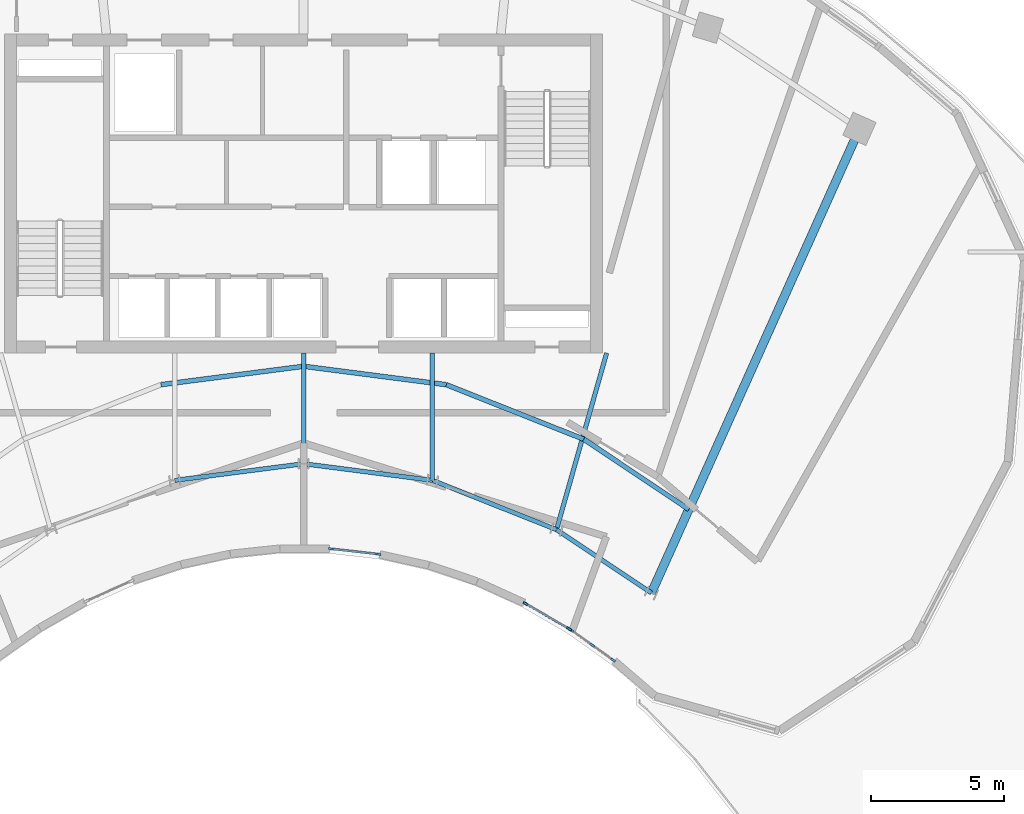
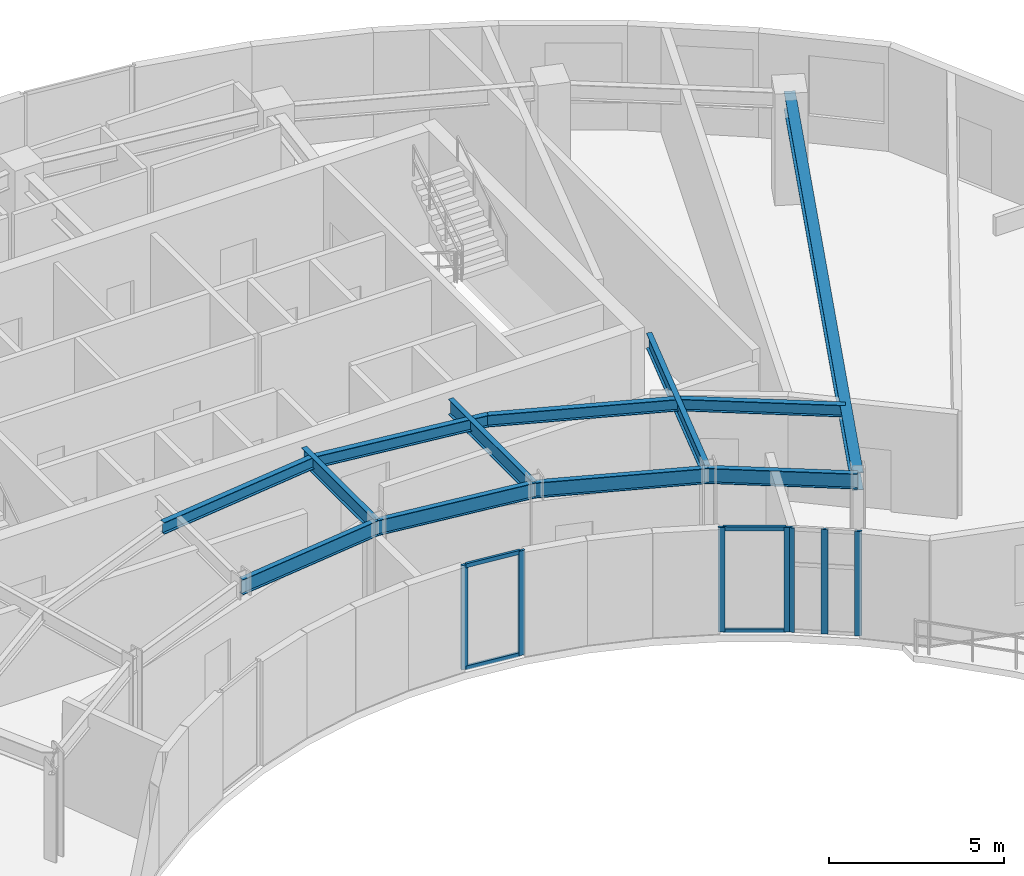
# One storey, part 3 of 15: 12 beams, 11 members, 3 elements without a shape of their own.
"""IFC4 building model written with IfcOpenShell, lengths in metres."""

import ifcopenshell
import ifcopenshell.guid

model = None  # the IFC model being written
_history = None  # IfcOwnerHistory: only IFC2X3 demands one
_inside = {}  # id of a spatial element -> (the spatial element, [elements in it])
_under = {}  # id of a project, library or spatial element -> (it, [spatial elements below it])
_declared = {}  # id of a project -> (the project, [libraries it declares])
_typed = {}  # id of a type object -> (the type object, [elements of that type])
_made_of = {}  # id of a material, layer set ... -> (it, [elements and type objects made of it])


def new_model(schema):
    """Start an empty IFC model of exactly this schema.

    Asked for "IFC4X3", IfcOpenShell would pick the latest addendum, in which some entities
    have other attributes; the version numbers below select the first issue.
    IFC2X3 requires an IfcOwnerHistory on every rooted entity: one is made here for all.
    """
    global model, _history
    if schema == "IFC4X3":
        model = ifcopenshell.file(schema_version=(4, 3, 0, 0))
    else:
        model = ifcopenshell.file(schema=schema)
    _inside.clear()
    _under.clear()
    _declared.clear()
    _typed.clear()
    _made_of.clear()
    _history = None
    if model.schema == "IFC2X3":
        org = make("IfcOrganization", Name="unknown")
        user = make(
            "IfcPersonAndOrganization",
            ThePerson=make("IfcPerson", FamilyName="unknown"),
            TheOrganization=org,
        )
        app = make(
            "IfcApplication",
            ApplicationDeveloper=org,
            Version="unknown",
            ApplicationFullName="unknown",
            ApplicationIdentifier="unknown",
        )
        _history = make(
            "IfcOwnerHistory",
            OwningUser=user,
            OwningApplication=app,
            ChangeAction="ADDED",
            CreationDate=0,
        )
    return model


def make(cls, **values):
    """One entity of the class cls with the attributes given. An attribute that is None is left unset."""
    return model.create_entity(
        cls, **{name: value for name, value in values.items() if value is not None}
    )


def rooted(cls, **values):
    """An entity with a GlobalId (a new one), such as an element, a storey or a relation."""
    return make(cls, GlobalId=ifcopenshell.guid.new(), OwnerHistory=_history, **values)


def si_unit(unit_type, name, prefix=None):
    """IfcSIUnit, for example si_unit("LENGTHUNIT", "METRE", prefix="MILLI")."""
    return make("IfcSIUnit", UnitType=unit_type, Prefix=prefix, Name=name)


def assignment(units):
    """IfcUnitAssignment: the units of a project."""
    return None if units is None else make("IfcUnitAssignment", Units=units)


def point(xyz):
    """IfcCartesianPoint."""
    return None if xyz is None else make("IfcCartesianPoint", Coordinates=xyz)


def direction(xyz):
    """IfcDirection."""
    return None if xyz is None else make("IfcDirection", DirectionRatios=xyz)


def frame(location, z_axis=None, x_axis=None):
    """IfcAxis2Placement3D, a coordinate frame: its origin and axes. An axis left out is left unset."""
    return make(
        "IfcAxis2Placement3D",
        Location=point(location),
        Axis=direction(z_axis),
        RefDirection=direction(x_axis),
    )


def frame_2d(location, x_axis=None):
    """IfcAxis2Placement2D, a coordinate frame in the plane: its origin and x axis."""
    return make(
        "IfcAxis2Placement2D", Location=point(location), RefDirection=direction(x_axis)
    )


def origin():
    """The frame at (0, 0, 0) with its axes left unset."""
    return frame((0.0, 0.0, 0.0))


def origin_2d():
    """The frame at (0, 0) in the plane with its x axis left unset."""
    return frame_2d((0.0, 0.0))


def place(relative_to, where):
    """IfcLocalPlacement: puts the frame where relative to a parent placement (None: the world)."""
    return make(
        "IfcLocalPlacement", PlacementRelTo=relative_to, RelativePlacement=where
    )


def context(
    kind, dimensions, precision=None, world=None, true_north=None, identifier=None
):
    """IfcGeometricRepresentationContext, for example the 3D "Model" context."""
    return make(
        "IfcGeometricRepresentationContext",
        ContextIdentifier=identifier,
        ContextType=kind,
        CoordinateSpaceDimension=dimensions,
        Precision=precision,
        WorldCoordinateSystem=world,
        TrueNorth=true_north,
    )


def subcontext(parent, identifier, kind, view, scale=None):
    """IfcGeometricRepresentationSubContext, for example "Body" below "Model"."""
    return make(
        "IfcGeometricRepresentationSubContext",
        ContextIdentifier=identifier,
        ContextType=kind,
        ParentContext=parent,
        TargetScale=scale,
        TargetView=view,
    )


def project(units=None, contexts=None):
    """IfcProject with its units and contexts."""
    return rooted(
        "IfcProject",
        Name="project",
        RepresentationContexts=contexts,
        UnitsInContext=assignment(units),
    )


def spatial(cls, under=None, at=None, **own):
    """A site, building, storey or space (cls), placed at a placement, below another one or the project."""
    s = rooted(cls, ObjectPlacement=at, **own)
    if under is not None:
        _under.setdefault(under.id(), (under, []))[1].append(s)
    return s


def profile(cls, at=None, kind="AREA", **sizes):
    """A parametric profile (cls). Its sizes go by their IFC names, for example OverallWidth=200.0."""
    return make(cls, ProfileType=kind, Position=at, **sizes)


def rectangle(**sizes):
    """IfcRectangleProfileDef."""
    return profile("IfcRectangleProfileDef", **sizes)


def i_section(**sizes):
    """IfcIShapeProfileDef."""
    return profile("IfcIShapeProfileDef", **sizes)


def extrude(swept, where, along, depth):
    """IfcExtrudedAreaSolid: the profile swept, set in the frame where, extruded along a direction by depth."""
    return make(
        "IfcExtrudedAreaSolid",
        SweptArea=swept,
        Position=where,
        ExtrudedDirection=direction(along),
        Depth=depth,
    )


def shape(context_of_items, identifier, shape_type, items):
    """IfcShapeRepresentation: the items that make up one representation, for example the "Body"."""
    return make(
        "IfcShapeRepresentation",
        ContextOfItems=context_of_items,
        RepresentationIdentifier=identifier,
        RepresentationType=shape_type,
        Items=items,
    )


def source(mapping_origin, context_of_items, identifier, shape_type, items):
    """IfcRepresentationMap: a shape defined once, which mapped items show again and again."""
    return make(
        "IfcRepresentationMap",
        MappingOrigin=mapping_origin,
        MappedRepresentation=shape(context_of_items, identifier, shape_type, items),
    )


def transform(
    local_origin,
    x_axis=None,
    y_axis=None,
    z_axis=None,
    scale=None,
    scale2=None,
    scale3=None,
    uniform=True,
):
    """IfcCartesianTransformationOperator3D, or its non-uniform kind. x_axis, y_axis, z_axis: its Axis1, 2, 3."""
    if uniform:
        return make(
            "IfcCartesianTransformationOperator3D",
            Axis1=direction(x_axis),
            Axis2=direction(y_axis),
            LocalOrigin=point(local_origin),
            Scale=scale,
            Axis3=direction(z_axis),
        )
    return make(
        "IfcCartesianTransformationOperator3DnonUniform",
        Axis1=direction(x_axis),
        Axis2=direction(y_axis),
        LocalOrigin=point(local_origin),
        Scale=scale,
        Axis3=direction(z_axis),
        Scale2=scale2,
        Scale3=scale3,
    )


def mapped(mapping_source, mapping_target):
    """IfcMappedItem: shows the shape of a source again, moved by a transform."""
    return make(
        "IfcMappedItem", MappingSource=mapping_source, MappingTarget=mapping_target
    )


def material(Name=None, Category=None):
    """IfcMaterial."""
    return make("IfcMaterial", Name=Name, Category=Category)


def layer(
    of_material, thickness, ventilated=None, Name=None, Category=None, Priority=None
):
    """IfcMaterialLayer: one layer of a wall or slab, of a material (None: an air gap)."""
    return make(
        "IfcMaterialLayer",
        Material=of_material,
        LayerThickness=thickness,
        IsVentilated=ventilated,
        Name=Name,
        Category=Category,
        Priority=Priority,
    )


def layer_set(layers, Name=None):
    """IfcMaterialLayerSet."""
    return make("IfcMaterialLayerSet", MaterialLayers=layers, LayerSetName=Name)


def material_profile(
    of_material, cross_section, Name=None, Category=None, Priority=None
):
    """IfcMaterialProfile: a cross section and its material."""
    return make(
        "IfcMaterialProfile",
        Name=Name,
        Material=of_material,
        Profile=cross_section,
        Priority=Priority,
        Category=Category,
    )


def profile_set(profiles, Name=None, composite=None):
    """IfcMaterialProfileSet."""
    return make(
        "IfcMaterialProfileSet",
        Name=Name,
        MaterialProfiles=profiles,
        CompositeProfile=composite,
    )


def made_of(thing, what):
    """Note that an element or type object is made of a material, layer set ...; save() writes the relation."""
    if what is not None:
        _made_of.setdefault(what.id(), (what, []))[1].append(thing)
    return thing


def type_object(cls, material=None, **own):
    """A type object (cls), such as IfcWallType, which elements share."""
    return made_of(rooted(cls, **own), material)


def type_shapes(of_type, sources):
    """Give a type object the sources (RepresentationMaps) that its elements show as mapped items."""
    of_type.RepresentationMaps = sources


def element(
    cls,
    number,
    at=None,
    inside=None,
    cuts=None,
    type_object=None,
    material=None,
    context=None,
    identifier="Body",
    shape_type=None,
    held_by="IfcProductDefinitionShape",
    body=None,
    shapes=None,
    **own,
):
    """One element of the class cls, such as IfcWall. Its Tag is "e" and its number.

    at: its placement. inside: the storey or other place that contains it. cuts: it is an
    opening in that element (IfcRelVoidsElement). A single representation is given by context,
    identifier, shape_type and body (its items); several are given by shapes. held_by: the class
    of the entity that holds the representations. save() writes the other relations.
    """
    e = rooted(cls, Tag="e%d" % number, ObjectPlacement=at, **own)
    if body is not None:
        shapes = [shape(context, identifier, shape_type, body)]
    if shapes is not None:
        e.Representation = make(held_by, Representations=shapes)
    if inside is not None:
        _inside.setdefault(inside.id(), (inside, []))[1].append(e)
    if cuts is not None:
        rooted(
            "IfcRelVoidsElement", RelatingBuildingElement=cuts, RelatedOpeningElement=e
        )
    if type_object is not None:
        _typed.setdefault(type_object.id(), (type_object, []))[1].append(e)
    return made_of(e, material)


def aggregate(whole, parts):
    """IfcRelAggregates: a whole, such as a stair, and the parts it consists of."""
    return rooted("IfcRelAggregates", RelatingObject=whole, RelatedObjects=parts)


def save(model, path):
    """Write the relations noted so far, then the file.

    IfcRelAggregates (storeys below a building ...), IfcRelContainedInSpatialStructure (elements
    in a storey), IfcRelDefinesByType, IfcRelAssociatesMaterial and IfcRelDeclares: one each for
    every whole, place, type object, material and project.
    """
    for whole, parts in _under.values():
        aggregate(whole, parts)
    for where, things in _inside.values():
        rooted(
            "IfcRelContainedInSpatialStructure",
            RelatedElements=things,
            RelatingStructure=where,
        )
    for kind, things in _typed.values():
        rooted("IfcRelDefinesByType", RelatedObjects=things, RelatingType=kind)
    for what, things in _made_of.values():
        rooted("IfcRelAssociatesMaterial", RelatedObjects=things, RelatingMaterial=what)
    for by, libraries in _declared.values():
        rooted("IfcRelDeclares", RelatingContext=by, RelatedDefinitions=libraries)
    model.write(path)


model = new_model("IFC4")

# Units and contexts
model_context = context("Model", 3, precision=1e-05, world=origin(), true_north=direction((0.0, 1.0)))
body_context = subcontext(model_context, "Body", "Model", "MODEL_VIEW")
ifc_project = project(units=[si_unit("LENGTHUNIT", "METRE"), si_unit("AREAUNIT", "SQUARE_METRE"), si_unit("VOLUMEUNIT", "CUBIC_METRE"), si_unit("PLANEANGLEUNIT", "RADIAN"), si_unit("MASSUNIT", "GRAM", prefix="KILO")], contexts=[model_context])

# Site, building, storey
site_placement = place(None, origin())
site = spatial("IfcSite", under=ifc_project, at=site_placement, CompositionType="ELEMENT")
building_placement = place(site_placement, origin())
building = spatial("IfcBuilding", under=site, at=building_placement, Name="Breltana Convention Tower", CompositionType="ELEMENT")
storey_placement = place(building_placement, frame((0.0, 0.0, 231.300048828125)))
storey = spatial("IfcBuildingStorey", under=building, at=storey_placement, Name="L56", CompositionType="ELEMENT", Elevation=231.300048828125)

# Beams
ifc_material_1 = material(Name="Steel ASTM A992 Grade 50", Category="steel")
ifc_material_profile_1 = material_profile(ifc_material_1, i_section(OverallWidth=0.166015625, OverallDepth=0.534912109375, WebThickness=0.01025390625, FlangeThickness=0.0166015625, at=origin_2d()), Name="W21X57")
ifc_profile_set_1 = profile_set([ifc_material_profile_1], Name="Steel ASTM A992 Grade 50")
beam_type_1 = type_object("IfcBeamType", Name="BM-BM-W21X57", PredefinedType="BEAM", material=ifc_profile_set_1)
shared_shape_1 = source(origin(), body_context, "Body", "SweptSolid", [
    extrude(i_section(OverallWidth=0.166015625, OverallDepth=0.534912109375, WebThickness=0.01025390625, FlangeThickness=0.0166015625, at=origin_2d()), origin(), (0.0, 0.0, 1.0), 6.904541015625),
])
type_shapes(beam_type_1, [shared_shape_1])
beam_1_placement = place(storey_placement, frame((59.39990234375, 60.199951171875, 3.382568359375), z_axis=(-0.273006781054, -0.962012108811, 0.0), x_axis=(0.962012108811, -0.273006781054, 0.0)))
element("IfcBeam", 1, at=beam_1_placement, inside=storey, type_object=beam_type_1, Name="L56 South Core Tie Girder R08", PredefinedType="BEAM", context=body_context, shape_type="MappedRepresentation", body=[
    mapped(shared_shape_1, transform((0.0, 0.0, 0.0), scale=1.0)),
])
shared_shape_2 = source(origin(), body_context, "Body", "SweptSolid", [
    extrude(i_section(OverallWidth=0.166015625, OverallDepth=0.534912109375, WebThickness=0.01025390625, FlangeThickness=0.0166015625, at=origin_2d()), origin(), (0.0, 0.0, 1.0), 4.789306640625),
])
beam_2_placement = place(storey_placement, frame((52.846435546875, 60.199951171875, 3.382568359375), z_axis=(0.0, -1.0, 0.0), x_axis=(1.0, 0.0, 0.0)))
element("IfcBeam", 2, at=beam_2_placement, inside=storey, type_object=beam_type_1, Name="L56 South Core Tie Girder R07", PredefinedType="BEAM", context=body_context, shape_type="MappedRepresentation", body=[
    mapped(shared_shape_2, transform((0.0, 0.0, 0.0), scale=1.0)),
])
shared_shape_3 = source(origin(), body_context, "Body", "SweptSolid", [
    extrude(i_section(OverallWidth=0.166015625, OverallDepth=0.534912109375, WebThickness=0.01025390625, FlangeThickness=0.0166015625, at=origin_2d()), origin(), (0.0, 0.0, 1.0), 4.1640625),
])
beam_3_placement = place(storey_placement, frame((48.0, 60.199951171875, 3.382568359375), z_axis=(0.0, -1.0, 0.0), x_axis=(1.0, 0.0, 0.0)))
element("IfcBeam", 3, at=beam_3_placement, inside=storey, type_object=beam_type_1, Name="L56 South Core Tie Girder R06", PredefinedType="BEAM", context=body_context, shape_type="MappedRepresentation", body=[
    mapped(shared_shape_3, transform((0.0, 0.0, 0.0), scale=1.0)),
])
shared_shape_4 = source(origin(), body_context, "Body", "SweptSolid", [
    extrude(i_section(OverallWidth=0.166015625, OverallDepth=0.534912109375, WebThickness=0.01025390625, FlangeThickness=0.0166015625, at=origin_2d()), origin(), (0.0, 0.0, 1.0), 5.022705078125),
])
beam_4_placement = place(storey_placement, frame((52.846435546875, 55.41064453125, 3.382568359375), z_axis=(0.929458966248, -0.368925507469, 0.0), x_axis=(0.368925507469, 0.929458966248, 0.0)))
element("IfcBeam", 4, at=beam_4_placement, inside=storey, type_object=beam_type_1, Name="L56 Inner Ring Beam 07", PredefinedType="BEAM", context=body_context, shape_type="MappedRepresentation", body=[
    mapped(shared_shape_4, transform((0.0, 0.0, 0.0), scale=1.0)),
])
shared_shape_5 = source(origin(), body_context, "Body", "SweptSolid", [
    extrude(i_section(OverallWidth=0.166015625, OverallDepth=0.534912109375, WebThickness=0.01025390625, FlangeThickness=0.0166015625, at=origin_2d()), origin(), (0.0, 0.0, 1.0), 4.88671875),
])
for number, where, z_axis, x_axis, name in (
    (5, (43.153564453125, 55.41064453125, 3.382568359375), (0.991780525565, 0.127950729231, 0.0), (-0.127950729231, 0.991780525565, 0.0), "L56 Inner Ring Beam 05"),
    (6, (48.0, 56.035888671875, 3.382568359375), (0.991780525565, -0.127950729231, 0.0), (0.127950729231, 0.991780525565, 0.0), "L56 Inner Ring Beam 06"),
):
    element("IfcBeam", number, at=place(storey_placement, frame(where, z_axis=z_axis, x_axis=x_axis)), inside=storey, type_object=beam_type_1, Name=name, PredefinedType="BEAM", context=body_context, shape_type="MappedRepresentation", body=[
        mapped(shared_shape_5, transform((0.0, 0.0, 0.0), scale=1.0)),
    ])
shared_shape_6 = source(origin(), body_context, "Body", "SweptSolid", [
    extrude(i_section(OverallWidth=0.166015625, OverallDepth=0.534912109375, WebThickness=0.01025390625, FlangeThickness=0.0166015625, at=origin_2d()), origin(), (0.0, 0.0, 1.0), 4.2900390625),
])
beam_5_placement = place(storey_placement, frame((57.514892578125, 53.5576171875, 3.382568359375), z_axis=(0.831515827753, -0.555501060482, 0.0), x_axis=(0.555501060482, 0.831515827753, 0.0)))
element("IfcBeam", 7, at=beam_5_placement, inside=storey, type_object=beam_type_1, Name="L56 Inner Ring Beam 08", PredefinedType="BEAM", context=body_context, shape_type="MappedRepresentation", body=[
    mapped(shared_shape_6, transform((0.0, 0.0, 0.0), scale=1.0)),
])
ifc_material_profile_2 = material_profile(ifc_material_1, i_section(OverallWidth=0.326904296875, OverallDepth=0.6220703125, WebThickness=0.015380859375, FlangeThickness=0.0244140625, at=origin_2d()), Name="W24X131")
ifc_profile_set_2 = profile_set([ifc_material_profile_2], Name="Steel ASTM A992 Grade 50")
beam_type_2 = type_object("IfcBeamType", Name="BM-RG-W24X131", PredefinedType="USERDEFINED", material=ifc_profile_set_2)
shared_shape_7 = source(origin(), body_context, "Body", "SweptSolid", [
    extrude(i_section(OverallWidth=0.326904296875, OverallDepth=0.6220703125, WebThickness=0.015380859375, FlangeThickness=0.0244140625, at=origin_2d()), origin(), (0.0, 0.0, 1.0), 19.133544921875),
])
beam_6_placement = place(storey_placement, frame((61.08203125, 51.174560546875, 3.3388671875), z_axis=(0.409144564164, 0.912469575172, 0.0), x_axis=(-0.912469575172, 0.409144564164, 0.0)))
element("IfcBeam", 8, at=beam_6_placement, inside=storey, type_object=beam_type_2, Name="L56 Radial Floor Girder R09", ObjectType="GIRDER", PredefinedType="USERDEFINED", context=body_context, shape_type="MappedRepresentation", body=[
    mapped(shared_shape_7, transform((0.0, 0.0, 0.0), scale=1.0)),
])
ifc_material_profile_3 = material_profile(ifc_material_1, i_section(OverallWidth=0.179931640625, OverallDepth=0.4130859375, WebThickness=0.009765625, FlangeThickness=0.01611328125, at=origin_2d()), Name="W16X50")
ifc_profile_set_3 = profile_set([ifc_material_profile_3], Name="Steel ASTM A992 Grade 50")
beam_type_3 = type_object("IfcBeamType", Name="BM-JSG-08", PredefinedType="JOIST", material=ifc_profile_set_3)
shared_shape_8 = source(origin(), body_context, "Body", "SweptSolid", [
    extrude(i_section(OverallWidth=0.179931640625, OverallDepth=0.4130859375, WebThickness=0.009765625, FlangeThickness=0.01611328125, at=origin_2d()), origin(), (0.0, 0.0, 1.0), 5.563720703125),
])
beam_7_placement = place(storey_placement, frame((53.36865234375, 59.009521484375, 3.443359375), z_axis=(0.929447960386, -0.368953234074, 0.0), x_axis=(0.368953234074, 0.929447960386, 0.0)))
element("IfcBeam", 9, at=beam_7_placement, inside=storey, type_object=beam_type_3, Name="L56 Composite Floor Joist 07.1", PredefinedType="JOIST", context=body_context, shape_type="MappedRepresentation", body=[
    mapped(shared_shape_8, transform((0.0, 0.0, 0.0), scale=1.0)),
])
shared_shape_9 = source(origin(), body_context, "Body", "SweptSolid", [
    extrude(i_section(OverallWidth=0.179931640625, OverallDepth=0.4130859375, WebThickness=0.009765625, FlangeThickness=0.01611328125, at=origin_2d()), origin(), (0.0, 0.0, 1.0), 5.4130859375),
])
for number, where, z_axis, x_axis, name in (
    (10, (42.63134765625, 59.009521484375, 3.443359375), (0.991780266945, 0.127952733848, 0.0), (-0.127952733848, 0.991780266945, 0.0), "L56 Composite Floor Joist 05.1"),
    (11, (48.0, 59.7021484375, 3.443359375), (0.991780266945, -0.127952733848, 0.0), (0.127952733848, 0.991780266945, 0.0), "L56 Composite Floor Joist 06.1"),
):
    element("IfcBeam", number, at=place(storey_placement, frame(where, z_axis=z_axis, x_axis=x_axis)), inside=storey, type_object=beam_type_3, Name=name, PredefinedType="JOIST", context=body_context, shape_type="MappedRepresentation", body=[
        mapped(shared_shape_9, transform((0.0, 0.0, 0.0), scale=1.0)),
    ])
shared_shape_10 = source(origin(), body_context, "Body", "SweptSolid", [
    extrude(i_section(OverallWidth=0.179931640625, OverallDepth=0.4130859375, WebThickness=0.009765625, FlangeThickness=0.01611328125, at=origin_2d()), origin(), (0.0, 0.0, 1.0), 4.751953125),
])
beam_8_placement = place(storey_placement, frame((58.539794921875, 56.956787109375, 3.443359375), z_axis=(0.831528257555, -0.555482454167, 0.0), x_axis=(0.555482454167, 0.831528257555, 0.0)))
element("IfcBeam", 12, at=beam_8_placement, inside=storey, type_object=beam_type_3, Name="L56 Composite Floor Joist 08.1", PredefinedType="JOIST", context=body_context, shape_type="MappedRepresentation", body=[
    mapped(shared_shape_10, transform((0.0, 0.0, 0.0), scale=1.0)),
])

# Curtain wall, members
ifc_material_2 = material(Name="Aluminium Anodised Bronze Frame", Category="aluminium")
ifc_layer = layer(ifc_material_2, 0.18994140625, Name="Aluminium Anodised Bronze Frame")
ifc_layer_set = layer_set([ifc_layer], Name="Aluminium Anodised Bronze Frame")
curtain_wall_type = type_object("IfcCurtainWallType", Name="CW-SYS-1", PredefinedType="NOTDEFINED", material=ifc_layer_set)
curtain_wall_1_placement = place(storey_placement, origin())
curtain_wall_1 = element("IfcCurtainWall", 13, at=curtain_wall_1_placement, inside=storey, type_object=curtain_wall_type, Name="L56 inner south-court glazing 1", PredefinedType="NOTDEFINED")
ifc_material_3 = material(Name="Aluminium Anodised Bronze", Category="aluminium")
ifc_material_profile_4 = material_profile(ifc_material_3, rectangle(XDim=0.080078125, YDim=0.199951171875, at=origin_2d()), Name="CWM-80X200")
ifc_profile_set_4 = profile_set([ifc_material_profile_4], Name="Aluminium Anodised Bronze")
member_type_1 = type_object("IfcMemberType", Name="CWM-200", PredefinedType="MULLION", material=ifc_profile_set_4)
shared_shape_11 = source(origin(), body_context, "Body", "SweptSolid", [
    extrude(rectangle(XDim=0.080078125, YDim=0.199951171875, at=origin_2d()), origin(), (0.0, 0.0, 1.0), 3.64990234375),
])
member_1_placement = place(storey_placement, frame((59.642822265625, 48.650390625, 0.0), z_axis=(0.0, 0.0, 1.0), x_axis=(-0.580679280365, -0.814132405297, 0.0)))
member_1 = element("IfcMember", 14, at=member_1_placement, type_object=member_type_1, Name="CW-01 mullion 1", PredefinedType="MULLION", context=body_context, shape_type="MappedRepresentation", body=[
    mapped(shared_shape_11, transform((0.0, 0.0, 0.0), scale=1.0)),
])
member_2_placement = place(storey_placement, frame((58.85546875, 49.2119140625, 0.0), z_axis=(0.0, 0.0, 1.0), x_axis=(-0.580679280365, -0.814132405297, 0.0)))
member_2 = element("IfcMember", 15, at=member_2_placement, type_object=member_type_1, Name="CW-01 mullion 2", PredefinedType="MULLION", context=body_context, shape_type="MappedRepresentation", body=[
    mapped(shared_shape_11, transform((0.0, 0.0, 0.0), scale=1.0)),
])
member_3_placement = place(storey_placement, frame((58.06787109375, 49.773681640625, 0.0), z_axis=(0.0, 0.0, 1.0), x_axis=(-0.580679280365, -0.814132405297, 0.0)))
member_3 = element("IfcMember", 16, at=member_3_placement, type_object=member_type_1, Name="CW-01 mullion 3", PredefinedType="MULLION", context=body_context, shape_type="MappedRepresentation", body=[
    mapped(shared_shape_11, transform((0.0, 0.0, 0.0), scale=1.0)),
])
aggregate(curtain_wall_1, [member_1, member_2, member_3])

curtain_wall_2_placement = place(storey_placement, origin())
curtain_wall_2 = element("IfcCurtainWall", 17, at=curtain_wall_2_placement, inside=storey, type_object=curtain_wall_type, Name="L56 inner south-court glazing 2", PredefinedType="NOTDEFINED")
member_4_placement = place(storey_placement, frame((57.986328125, 49.826171875, 0.0), z_axis=(0.0, 0.0, 1.0), x_axis=(-0.501190266215, -0.865337111796, 0.0)))
member_4 = element("IfcMember", 18, at=member_4_placement, type_object=member_type_1, Name="CW-01 mullion 1", PredefinedType="MULLION", context=body_context, shape_type="MappedRepresentation", body=[
    mapped(shared_shape_11, transform((0.0, 0.0, 0.0), scale=1.0)),
])
member_5_placement = place(storey_placement, frame((56.35009765625, 50.77392578125, 0.0), z_axis=(0.0, 0.0, 1.0), x_axis=(-0.501190266215, -0.865337111796, 0.0)))
member_5 = element("IfcMember", 19, at=member_5_placement, type_object=member_type_1, Name="CW-01 mullion 2", PredefinedType="MULLION", context=body_context, shape_type="MappedRepresentation", body=[
    mapped(shared_shape_11, transform((0.0, 0.0, 0.0), scale=1.0)),
])

curtain_wall_3_placement = place(storey_placement, origin())
curtain_wall_3 = element("IfcCurtainWall", 20, at=curtain_wall_3_placement, inside=storey, type_object=curtain_wall_type, Name="L56 inner south-court glazing 3", PredefinedType="NOTDEFINED")
member_6_placement = place(storey_placement, frame((50.810791015625, 52.634033203125, 0.0), z_axis=(0.0, 0.0, 1.0), x_axis=(-0.111262094719, -0.993791097907, 0.0)))
member_6 = element("IfcMember", 21, at=member_6_placement, type_object=member_type_1, Name="CW-01 mullion 1", PredefinedType="MULLION", context=body_context, shape_type="MappedRepresentation", body=[
    mapped(shared_shape_11, transform((0.0, 0.0, 0.0), scale=1.0)),
])
member_7_placement = place(storey_placement, frame((49.03857421875, 52.83251953125, 0.0), z_axis=(0.0, 0.0, 1.0), x_axis=(-0.111262094719, -0.993791097907, 0.0)))
member_7 = element("IfcMember", 22, at=member_7_placement, type_object=member_type_1, Name="CW-01 mullion 2", PredefinedType="MULLION", context=body_context, shape_type="MappedRepresentation", body=[
    mapped(shared_shape_11, transform((0.0, 0.0, 0.0), scale=1.0)),
])

# Member
ifc_material_profile_5 = material_profile(ifc_material_3, rectangle(XDim=0.080078125, YDim=0.139892578125, at=origin_2d()), Name="CWT-80X140")
ifc_profile_set_5 = profile_set([ifc_material_profile_5], Name="Aluminium Anodised Bronze")
member_type_2 = type_object("IfcMemberType", Name="CWT-140", PredefinedType="USERDEFINED", material=ifc_profile_set_5)
shared_shape_12 = source(origin(), body_context, "Body", "SweptSolid", [
    extrude(rectangle(XDim=0.080078125, YDim=0.139892578125, at=origin_2d()), origin(), (0.0, 0.0, 1.0), 1.810791015625),
])
member_8_placement = place(storey_placement, frame((57.95166015625, 49.84619140625, 0.0400390625), z_axis=(-0.865290871949, 0.501270093784, 0.0), x_axis=(-0.501270093784, -0.865290871949, 0.0)))
member_8 = element("IfcMember", 23, at=member_8_placement, type_object=member_type_2, Name="CW-01 transom 1.1", ObjectType="TRANSOM", PredefinedType="USERDEFINED", context=body_context, shape_type="MappedRepresentation", body=[
    mapped(shared_shape_12, transform((0.0, 0.0, 0.0), scale=1.0)),
])

member_9_placement = place(storey_placement, frame((57.95166015625, 49.84619140625, 3.60986328125), z_axis=(-0.865290871949, 0.501270093784, 0.0), x_axis=(-0.501270093784, -0.865290871949, 0.0)))
member_9 = element("IfcMember", 24, at=member_9_placement, type_object=member_type_2, Name="CW-01 transom 1.2", ObjectType="TRANSOM", PredefinedType="USERDEFINED", context=body_context, shape_type="MappedRepresentation", body=[
    mapped(shared_shape_12, transform((0.0, 0.0, 0.0), scale=1.0)),
])

aggregate(curtain_wall_2, [member_4, member_5, member_8, member_9])

shared_shape_13 = source(origin(), body_context, "Body", "SweptSolid", [
    extrude(rectangle(XDim=0.080078125, YDim=0.139892578125, at=origin_2d()), origin(), (0.0, 0.0, 1.0), 1.703125),
])
member_10_placement = place(storey_placement, frame((50.77099609375, 52.638427734375, 0.0400390625), z_axis=(-0.993794258689, 0.111233859043, 0.0), x_axis=(-0.111233859043, -0.993794258689, 0.0)))
member_10 = element("IfcMember", 25, at=member_10_placement, type_object=member_type_2, Name="CW-01 transom 1.1", ObjectType="TRANSOM", PredefinedType="USERDEFINED", context=body_context, shape_type="MappedRepresentation", body=[
    mapped(shared_shape_13, transform((0.0, 0.0, 0.0), scale=1.0)),
])

member_11_placement = place(storey_placement, frame((50.77099609375, 52.638427734375, 3.60986328125), z_axis=(-0.993794258689, 0.111233859043, 0.0), x_axis=(-0.111233859043, -0.993794258689, 0.0)))
member_11 = element("IfcMember", 26, at=member_11_placement, type_object=member_type_2, Name="CW-01 transom 1.2", ObjectType="TRANSOM", PredefinedType="USERDEFINED", context=body_context, shape_type="MappedRepresentation", body=[
    mapped(shared_shape_13, transform((0.0, 0.0, 0.0), scale=1.0)),
])

aggregate(curtain_wall_3, [member_6, member_7, member_10, member_11])

save(model, "model.ifc")
